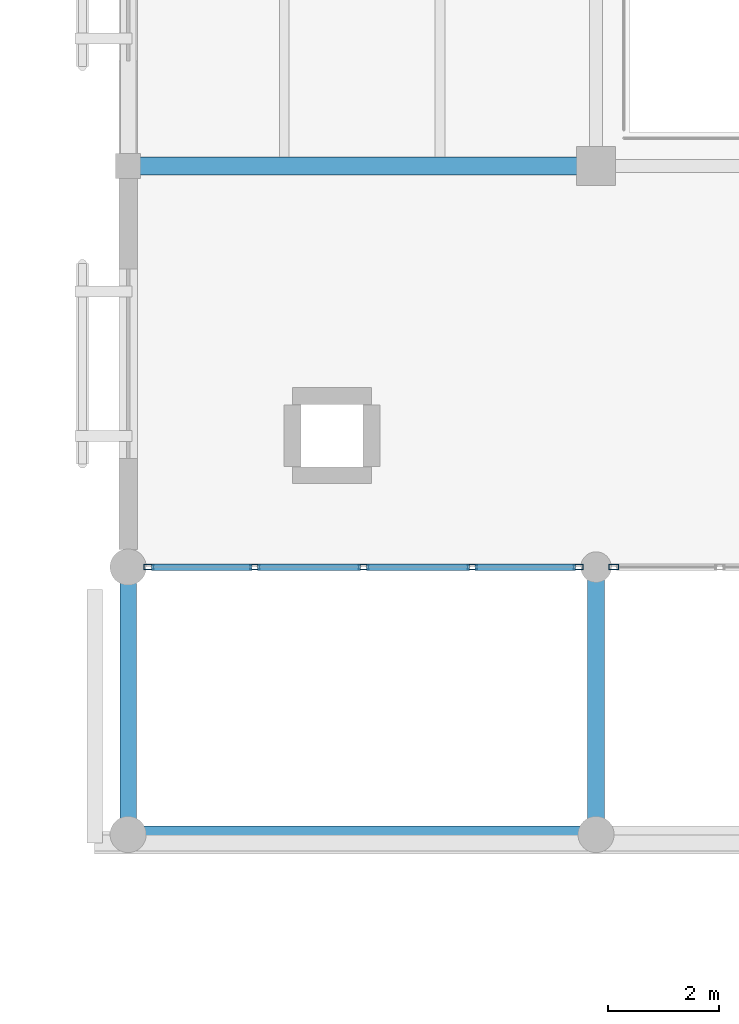
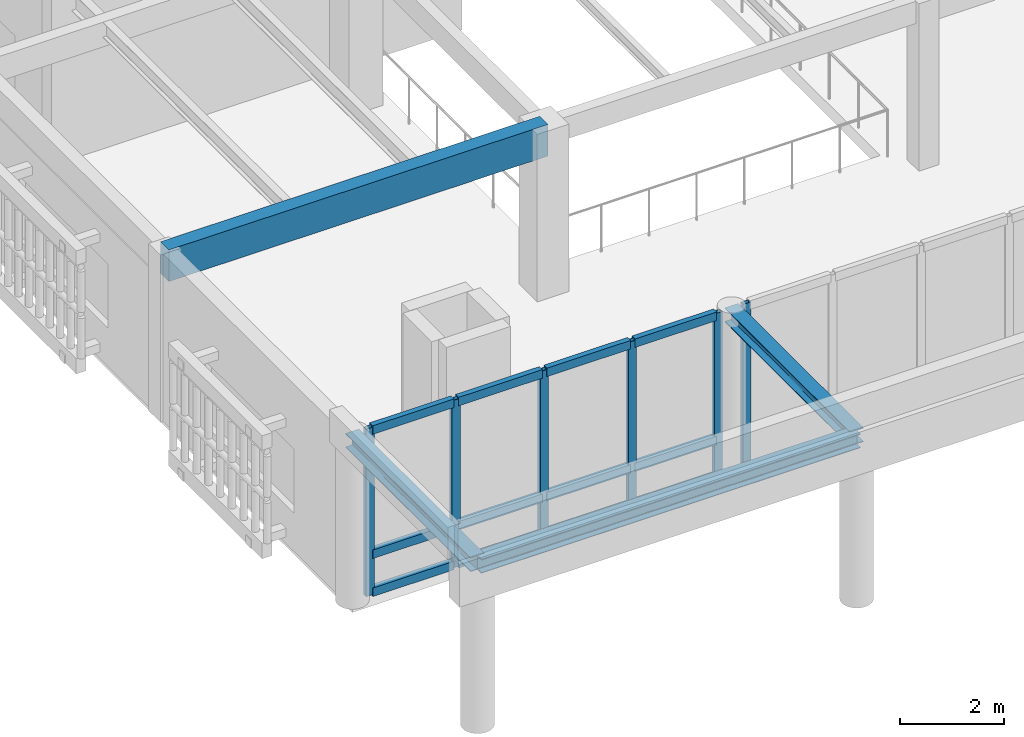
# One storey, part 21 of 170: 18 members, 4 beams, 2 elements without a shape of their own.
"""IFC4 building model written with IfcOpenShell, lengths in metres."""

from ifc_helpers import new_model, si_unit, direction, frame, origin, origin_2d, place, context, subcontext, project, spatial, rectangle, hollow_rectangle, i_section, extrude, material, layer, layer_set, material_profile, profile_set, type_object, element, aggregate, save


model = new_model("IFC4")

# Units and contexts
model_context = context("Model", 3, precision=1e-05, world=origin(), true_north=direction((0.0, 1.0)))
body_context = subcontext(model_context, "Body", "Model", "MODEL_VIEW")
ifc_project = project(units=[si_unit("LENGTHUNIT", "METRE"), si_unit("AREAUNIT", "SQUARE_METRE"), si_unit("VOLUMEUNIT", "CUBIC_METRE"), si_unit("PLANEANGLEUNIT", "RADIAN"), si_unit("MASSUNIT", "GRAM", prefix="KILO")], contexts=[model_context])

# Site, building, storey
site_placement = place(None, origin())
site = spatial("IfcSite", under=ifc_project, at=site_placement, CompositionType="ELEMENT")
building_placement = place(site_placement, origin())
building = spatial("IfcBuilding", under=site, at=building_placement, Name="Mazaris Harbour Polytechnic", CompositionType="ELEMENT")
storey_placement = place(building_placement, frame((0.0, 0.0, 5.39990234375)))
storey = spatial("IfcBuildingStorey", under=building, at=storey_placement, Name="L01", CompositionType="ELEMENT", Elevation=5.39990234375)

# Curtain wall, members
ifc_material_1 = material(Name="Anodised Bronze Aluminium and Low-E Glass", Category="aluminium")
ifc_layer = layer(ifc_material_1, 0.179931640625, Name="Anodised Bronze Aluminium and Low-E Glass")
ifc_layer_set = layer_set([ifc_layer], Name="Anodised Bronze Aluminium and Low-E Glass")
curtain_wall_type = type_object("IfcCurtainWallType", Name="Harbour Colonnade Curtain Wall", PredefinedType="NOTDEFINED", material=ifc_layer_set)
curtain_wall_1_placement = place(storey_placement, origin())
curtain_wall_1 = element("IfcCurtainWall", 1, at=curtain_wall_1_placement, inside=storey, type_object=curtain_wall_type, Name="V3 L01 Curtain Wall 68", PredefinedType="NOTDEFINED")
ifc_material_2 = material(Name="Anodised Bronze Steel S355", Category="steel")
ifc_material_profile_1 = material_profile(ifc_material_2, hollow_rectangle(XDim=0.10009765625, YDim=0.179931640625, WallThickness=0.008056640625, at=origin_2d()), Name="RHS 100x180x8.0")
ifc_profile_set_1 = profile_set([ifc_material_profile_1], Name="Anodised Bronze Steel S355")
member_type_1 = type_object("IfcMemberType", Name="Curtain Mullion RHS100x180", PredefinedType="MULLION", material=ifc_profile_set_1)
member_1_placement = place(storey_placement, frame((62.0830078125, 7.199951171875, 0.0), z_axis=(0.0, 0.0, 1.0), x_axis=(0.0, -1.0, 0.0)))
member_1 = element("IfcMember", 2, at=member_1_placement, type_object=member_type_1, Name="CW-01 mullion 1", PredefinedType="MULLION", context=body_context, shape_type="SweptSolid", body=[
    extrude(hollow_rectangle(XDim=0.10009765625, YDim=0.179931640625, WallThickness=0.008056640625, at=origin_2d()), origin(), (0.0, 0.0, 1.0), 3.920166015625),
])
member_2_placement = place(storey_placement, frame((60.178955078125, 7.199951171875, 0.0), z_axis=(0.0, 0.0, 1.0), x_axis=(0.0, -1.0, 0.0)))
member_2 = element("IfcMember", 3, at=member_2_placement, type_object=member_type_1, Name="CW-01 mullion 2", PredefinedType="MULLION", context=body_context, shape_type="SweptSolid", body=[
    extrude(hollow_rectangle(XDim=0.10009765625, YDim=0.179931640625, WallThickness=0.008056640625, at=origin_2d()), origin(), (0.0, 0.0, 1.0), 3.920166015625),
])
member_3_placement = place(storey_placement, frame((58.22509765625, 7.199951171875, 0.0), z_axis=(0.0, 0.0, 1.0), x_axis=(0.0, -1.0, 0.0)))
member_3 = element("IfcMember", 4, at=member_3_placement, type_object=member_type_1, Name="CW-01 mullion 3", PredefinedType="MULLION", context=body_context, shape_type="SweptSolid", body=[
    extrude(hollow_rectangle(XDim=0.10009765625, YDim=0.179931640625, WallThickness=0.008056640625, at=origin_2d()), origin(), (0.0, 0.0, 1.0), 3.920166015625),
])
member_4_placement = place(storey_placement, frame((56.27099609375, 7.199951171875, 0.0), z_axis=(0.0, 0.0, 1.0), x_axis=(0.0, -1.0, 0.0)))
member_4 = element("IfcMember", 5, at=member_4_placement, type_object=member_type_1, Name="CW-01 mullion 4", PredefinedType="MULLION", context=body_context, shape_type="SweptSolid", body=[
    extrude(hollow_rectangle(XDim=0.10009765625, YDim=0.179931640625, WallThickness=0.008056640625, at=origin_2d()), origin(), (0.0, 0.0, 1.0), 3.920166015625),
])
member_5_placement = place(storey_placement, frame((54.366943359375, 7.199951171875, 0.0), z_axis=(0.0, 0.0, 1.0), x_axis=(0.0, -1.0, 0.0)))
member_5 = element("IfcMember", 6, at=member_5_placement, type_object=member_type_1, Name="CW-01 mullion 5", PredefinedType="MULLION", context=body_context, shape_type="SweptSolid", body=[
    extrude(hollow_rectangle(XDim=0.10009765625, YDim=0.179931640625, WallThickness=0.008056640625, at=origin_2d()), origin(), (0.0, 0.0, 1.0), 3.920166015625),
])

# Curtain wall, member
curtain_wall_2_placement = place(storey_placement, origin())
curtain_wall_2 = element("IfcCurtainWall", 7, at=curtain_wall_2_placement, inside=storey, type_object=curtain_wall_type, Name="V3 L01 Curtain Wall 69", PredefinedType="NOTDEFINED")
member_6_placement = place(storey_placement, frame((62.717041015625, 7.199951171875, 0.0), z_axis=(0.0, 0.0, 1.0), x_axis=(0.0, -1.0, 0.0)))
member_6 = element("IfcMember", 8, at=member_6_placement, type_object=member_type_1, Name="CW-01 mullion 5", PredefinedType="MULLION", context=body_context, shape_type="SweptSolid", body=[
    extrude(hollow_rectangle(XDim=0.10009765625, YDim=0.179931640625, WallThickness=0.008056640625, at=origin_2d()), origin(), (0.0, 0.0, 1.0), 3.920166015625),
])
aggregate(curtain_wall_2, [member_6])

# Member
ifc_material_3 = material(Name="Anodised Bronze Steel S355", Category="steel")
ifc_material_profile_2 = material_profile(ifc_material_3, hollow_rectangle(XDim=0.1201171875, YDim=0.199951171875, WallThickness=0.008056640625, at=origin_2d()), Name="RHS 120x200x8.0")
ifc_profile_set_2 = profile_set([ifc_material_profile_2], Name="Anodised Bronze Steel S355")
member_type_2 = type_object("IfcMemberType", Name="Curtain Transom RHS120x200", PredefinedType="USERDEFINED", material=ifc_profile_set_2)
member_7_placement = place(storey_placement, frame((62.032958984375, 7.199951171875, 0.06005859375), z_axis=(-1.0, 0.0, 0.0), x_axis=(0.0, -1.0, 0.0)))
member_7 = element("IfcMember", 9, at=member_7_placement, type_object=member_type_2, Name="CW-01 transom 1.1", ObjectType="TRANSOM", PredefinedType="USERDEFINED", context=body_context, shape_type="SweptSolid", body=[
    extrude(hollow_rectangle(XDim=0.1201171875, YDim=0.199951171875, WallThickness=0.008056640625, at=origin_2d()), origin(), (0.0, 0.0, 1.0), 1.803955078125),
])

member_8_placement = place(storey_placement, frame((62.032958984375, 7.199951171875, 0.9501953125), z_axis=(-1.0, 0.0, 0.0), x_axis=(0.0, -1.0, 0.0)))
member_8 = element("IfcMember", 10, at=member_8_placement, type_object=member_type_2, Name="CW-01 transom 1.2", ObjectType="TRANSOM", PredefinedType="USERDEFINED", context=body_context, shape_type="SweptSolid", body=[
    extrude(hollow_rectangle(XDim=0.1201171875, YDim=0.199951171875, WallThickness=0.008056640625, at=origin_2d()), origin(), (0.0, 0.0, 1.0), 1.803955078125),
])

member_9_placement = place(storey_placement, frame((62.032958984375, 7.199951171875, 3.860107421875), z_axis=(-1.0, 0.0, 0.0), x_axis=(0.0, -1.0, 0.0)))
member_9 = element("IfcMember", 11, at=member_9_placement, type_object=member_type_2, Name="CW-01 transom 1.3", ObjectType="TRANSOM", PredefinedType="USERDEFINED", context=body_context, shape_type="SweptSolid", body=[
    extrude(hollow_rectangle(XDim=0.1201171875, YDim=0.199951171875, WallThickness=0.008056640625, at=origin_2d()), origin(), (0.0, 0.0, 1.0), 1.803955078125),
])

member_10_placement = place(storey_placement, frame((60.12890625, 7.199951171875, 0.06005859375), z_axis=(-1.0, 0.0, 0.0), x_axis=(0.0, -1.0, 0.0)))
member_10 = element("IfcMember", 12, at=member_10_placement, type_object=member_type_2, Name="CW-01 transom 2.1", ObjectType="TRANSOM", PredefinedType="USERDEFINED", context=body_context, shape_type="SweptSolid", body=[
    extrude(hollow_rectangle(XDim=0.1201171875, YDim=0.199951171875, WallThickness=0.008056640625, at=origin_2d()), origin(), (0.0, 0.0, 1.0), 1.85400390625),
])

member_11_placement = place(storey_placement, frame((60.12890625, 7.199951171875, 0.9501953125), z_axis=(-1.0, 0.0, 0.0), x_axis=(0.0, -1.0, 0.0)))
member_11 = element("IfcMember", 13, at=member_11_placement, type_object=member_type_2, Name="CW-01 transom 2.2", ObjectType="TRANSOM", PredefinedType="USERDEFINED", context=body_context, shape_type="SweptSolid", body=[
    extrude(hollow_rectangle(XDim=0.1201171875, YDim=0.199951171875, WallThickness=0.008056640625, at=origin_2d()), origin(), (0.0, 0.0, 1.0), 1.85400390625),
])

member_12_placement = place(storey_placement, frame((60.12890625, 7.199951171875, 3.860107421875), z_axis=(-1.0, 0.0, 0.0), x_axis=(0.0, -1.0, 0.0)))
member_12 = element("IfcMember", 14, at=member_12_placement, type_object=member_type_2, Name="CW-01 transom 2.3", ObjectType="TRANSOM", PredefinedType="USERDEFINED", context=body_context, shape_type="SweptSolid", body=[
    extrude(hollow_rectangle(XDim=0.1201171875, YDim=0.199951171875, WallThickness=0.008056640625, at=origin_2d()), origin(), (0.0, 0.0, 1.0), 1.85400390625),
])

member_13_placement = place(storey_placement, frame((58.175048828125, 7.199951171875, 0.06005859375), z_axis=(-1.0, 0.0, 0.0), x_axis=(0.0, -1.0, 0.0)))
member_13 = element("IfcMember", 15, at=member_13_placement, type_object=member_type_2, Name="CW-01 transom 3.1", ObjectType="TRANSOM", PredefinedType="USERDEFINED", context=body_context, shape_type="SweptSolid", body=[
    extrude(hollow_rectangle(XDim=0.1201171875, YDim=0.199951171875, WallThickness=0.008056640625, at=origin_2d()), origin(), (0.0, 0.0, 1.0), 1.85400390625),
])

member_14_placement = place(storey_placement, frame((58.175048828125, 7.199951171875, 0.9501953125), z_axis=(-1.0, 0.0, 0.0), x_axis=(0.0, -1.0, 0.0)))
member_14 = element("IfcMember", 16, at=member_14_placement, type_object=member_type_2, Name="CW-01 transom 3.2", ObjectType="TRANSOM", PredefinedType="USERDEFINED", context=body_context, shape_type="SweptSolid", body=[
    extrude(hollow_rectangle(XDim=0.1201171875, YDim=0.199951171875, WallThickness=0.008056640625, at=origin_2d()), origin(), (0.0, 0.0, 1.0), 1.85400390625),
])

member_15_placement = place(storey_placement, frame((58.175048828125, 7.199951171875, 3.860107421875), z_axis=(-1.0, 0.0, 0.0), x_axis=(0.0, -1.0, 0.0)))
member_15 = element("IfcMember", 17, at=member_15_placement, type_object=member_type_2, Name="CW-01 transom 3.3", ObjectType="TRANSOM", PredefinedType="USERDEFINED", context=body_context, shape_type="SweptSolid", body=[
    extrude(hollow_rectangle(XDim=0.1201171875, YDim=0.199951171875, WallThickness=0.008056640625, at=origin_2d()), origin(), (0.0, 0.0, 1.0), 1.85400390625),
])

member_16_placement = place(storey_placement, frame((56.220947265625, 7.199951171875, 0.06005859375), z_axis=(-1.0, 0.0, 0.0), x_axis=(0.0, -1.0, 0.0)))
member_16 = element("IfcMember", 18, at=member_16_placement, type_object=member_type_2, Name="CW-01 transom 4.1", ObjectType="TRANSOM", PredefinedType="USERDEFINED", context=body_context, shape_type="SweptSolid", body=[
    extrude(hollow_rectangle(XDim=0.1201171875, YDim=0.199951171875, WallThickness=0.008056640625, at=origin_2d()), origin(), (0.0, 0.0, 1.0), 1.803955078125),
])

member_17_placement = place(storey_placement, frame((56.220947265625, 7.199951171875, 0.9501953125), z_axis=(-1.0, 0.0, 0.0), x_axis=(0.0, -1.0, 0.0)))
member_17 = element("IfcMember", 19, at=member_17_placement, type_object=member_type_2, Name="CW-01 transom 4.2", ObjectType="TRANSOM", PredefinedType="USERDEFINED", context=body_context, shape_type="SweptSolid", body=[
    extrude(hollow_rectangle(XDim=0.1201171875, YDim=0.199951171875, WallThickness=0.008056640625, at=origin_2d()), origin(), (0.0, 0.0, 1.0), 1.803955078125),
])

member_18_placement = place(storey_placement, frame((56.220947265625, 7.199951171875, 3.860107421875), z_axis=(-1.0, 0.0, 0.0), x_axis=(0.0, -1.0, 0.0)))
member_18 = element("IfcMember", 20, at=member_18_placement, type_object=member_type_2, Name="CW-01 transom 4.3", ObjectType="TRANSOM", PredefinedType="USERDEFINED", context=body_context, shape_type="SweptSolid", body=[
    extrude(hollow_rectangle(XDim=0.1201171875, YDim=0.199951171875, WallThickness=0.008056640625, at=origin_2d()), origin(), (0.0, 0.0, 1.0), 1.803955078125),
])

aggregate(curtain_wall_1, [member_1, member_2, member_3, member_4, member_5, member_7, member_8, member_9, member_10, member_11, member_12, member_13, member_14, member_15, member_16, member_17, member_18])

# Beams
ifc_material_4 = material(Name="Glulam GL32h", Category="wood")
ifc_material_profile_3 = material_profile(ifc_material_4, rectangle(XDim=0.320068359375, YDim=0.739990234375, at=origin_2d()), Name="RECT320x740")
ifc_profile_set_3 = profile_set([ifc_material_profile_3], Name="Glulam GL32h")
beam_type_1 = type_object("IfcBeamType", Name="Glulam Girder 320x740 Exterior", PredefinedType="BEAM", material=ifc_profile_set_3)
beam_1_placement = place(storey_placement, frame((54.0, 14.39990234375, 3.550048828125), z_axis=(1.0, 0.0, 0.0), x_axis=(0.0, 1.0, 0.0)))
element("IfcBeam", 21, at=beam_1_placement, inside=storey, type_object=beam_type_1, Name="V3 L01 Girder 969", PredefinedType="BEAM", context=body_context, shape_type="SweptSolid", body=[
    extrude(rectangle(XDim=0.320068359375, YDim=0.739990234375, at=origin_2d()), origin(), (0.0, 0.0, 1.0), 8.39990234375),
])
ifc_material_5 = material(Name="Steel S355", Category="steel")
ifc_material_profile_4 = material_profile(ifc_material_5, i_section(OverallWidth=0.300048828125, OverallDepth=0.330078125, WebThickness=0.009521484375, FlangeThickness=0.0166015625, FilletRadius=0.027099609375, at=origin_2d()), Name="HEA 340")
ifc_profile_set_4 = profile_set([ifc_material_profile_4], Name="Steel S355")
beam_type_2 = type_object("IfcBeamType", Name="Steel Beam HEA340 Exterior", PredefinedType="BEAM", material=ifc_profile_set_4)
for number, where, z_axis, x_axis, name in (
    (22, (54.0, 2.39990234375, 3.780029296875), (0.0, 1.0, 0.0), (-1.0, 0.0, 0.0), "Colonnade Cross Beam 3481"),
    (23, (62.39990234375, 2.39990234375, 3.780029296875), (0.0, 1.0, 0.0), (-1.0, 0.0, 0.0), "Colonnade Cross Beam 3482"),
):
    element("IfcBeam", number, at=place(storey_placement, frame(where, z_axis=z_axis, x_axis=x_axis)), inside=storey, type_object=beam_type_2, Name=name, PredefinedType="BEAM", context=body_context, shape_type="SweptSolid", body=[
        extrude(i_section(OverallWidth=0.300048828125, OverallDepth=0.330078125, WebThickness=0.009521484375, FlangeThickness=0.0166015625, FilletRadius=0.027099609375, at=origin_2d()), origin(), (0.0, 0.0, 1.0), 4.800048828125),
    ])
beam_2_placement = place(storey_placement, frame((54.0, 2.39990234375, 3.780029296875), z_axis=(1.0, 0.0, 0.0), x_axis=(0.0, 1.0, 0.0)))
element("IfcBeam", 24, at=beam_2_placement, inside=storey, type_object=beam_type_2, Name="Colonnade Entablature Architrave 3489", PredefinedType="BEAM", context=body_context, shape_type="SweptSolid", body=[
    extrude(i_section(OverallWidth=0.300048828125, OverallDepth=0.330078125, WebThickness=0.009521484375, FlangeThickness=0.0166015625, FilletRadius=0.027099609375, at=origin_2d()), origin(), (0.0, 0.0, 1.0), 8.39990234375),
])

save(model, "model.ifc")
